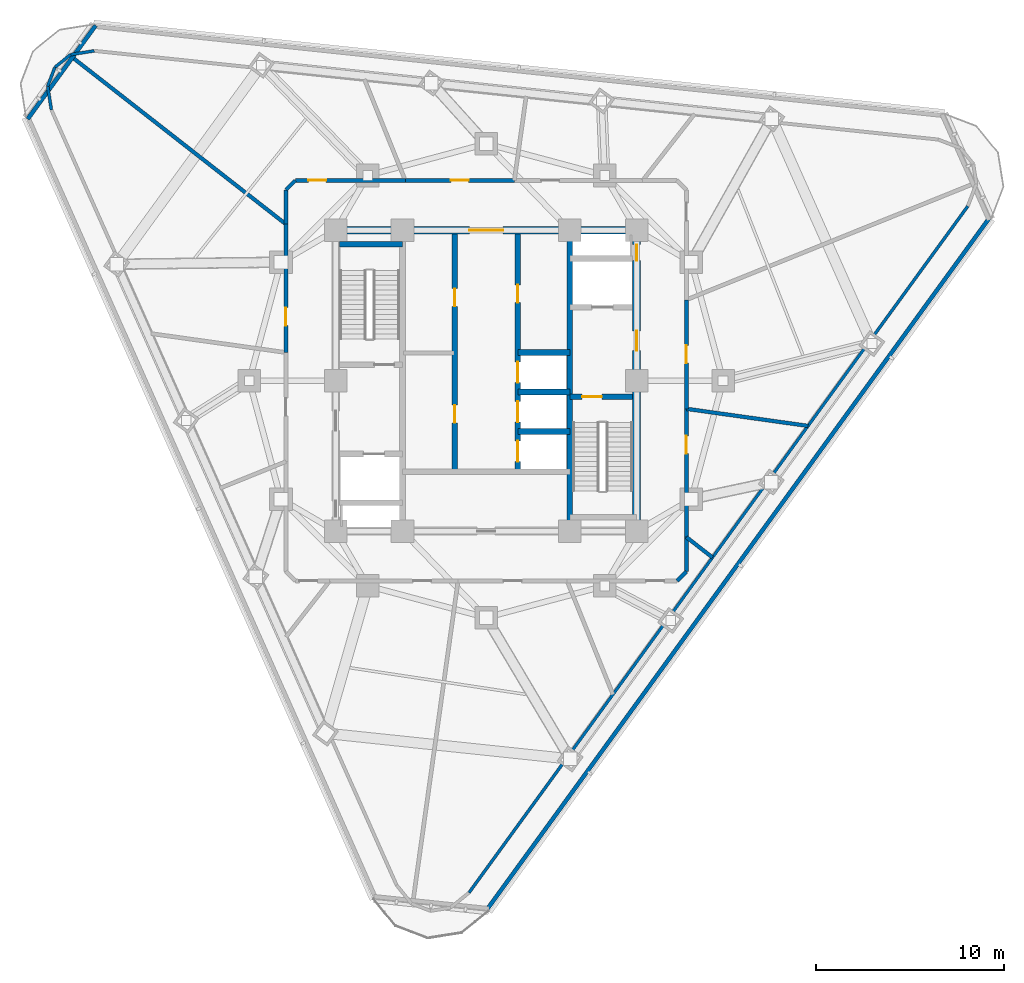
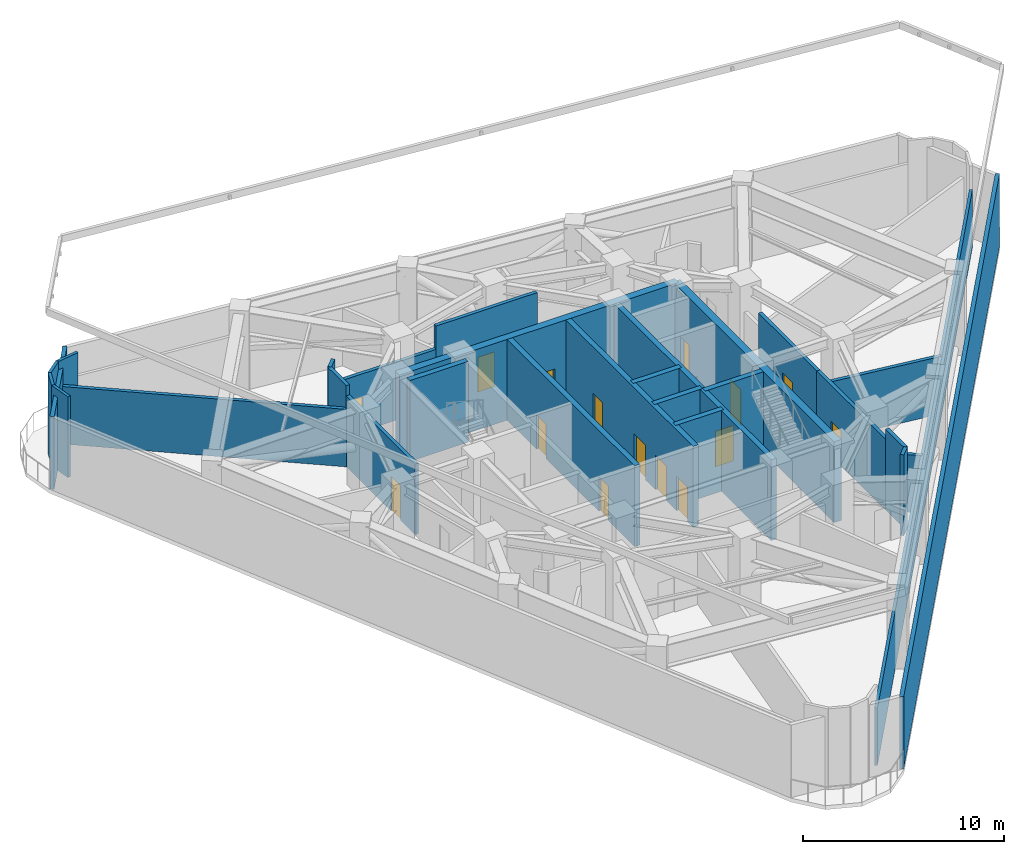
# One storey, part 4 of 10: 29 walls, 15 doors, 15 openings.
"""IFC4 building model written with IfcOpenShell, lengths in metres."""

from ifc_helpers import new_model, si_unit, direction, frame, frame_2d, origin, place, context, subcontext, project, spatial, rectangle, extrude, material, layer, layer_set, type_object, element, fill, save


model = new_model("IFC4")

# Units and contexts
model_context = context("Model", 3, precision=1e-05, world=origin(), true_north=direction((0.0, 1.0)))
body_context = subcontext(model_context, "Body", "Model", "MODEL_VIEW")
ifc_project = project(units=[si_unit("LENGTHUNIT", "METRE"), si_unit("AREAUNIT", "SQUARE_METRE"), si_unit("VOLUMEUNIT", "CUBIC_METRE"), si_unit("PLANEANGLEUNIT", "RADIAN"), si_unit("MASSUNIT", "GRAM", prefix="KILO")], contexts=[model_context])

# Site, building, storey
site_placement = place(None, origin())
site = spatial("IfcSite", under=ifc_project, at=site_placement, CompositionType="ELEMENT")
building_placement = place(site_placement, origin())
building = spatial("IfcBuilding", under=site, at=building_placement, Name="Terralouvre Media Tower", CompositionType="ELEMENT")
storey_placement = place(building_placement, frame((0.0, 0.0, 213.800048828125)))
storey = spatial("IfcBuildingStorey", under=building, at=storey_placement, Name="L55", CompositionType="ELEMENT", Elevation=213.800048828125)

# Walls
ifc_material_1 = material(Name="Concrete C50/60", Category="concrete")
ifc_layer_1 = layer(ifc_material_1, 0.300048828125, Name="Core Internal Shaft Wall CW-300")
ifc_layer_set_1 = layer_set([ifc_layer_1], Name="Concrete C50/60")
wall_type_1 = type_object("IfcWallType", Name="Core Internal Shaft Wall CW-300", PredefinedType="SHEAR", material=ifc_layer_set_1)
wall_1_placement = place(storey_placement, frame((4.449951171875, -7.7900390625, 0.0), z_axis=(0.0, 0.0, 1.0), x_axis=(0.0, 1.0, 0.0)))
element("IfcWall", 1, at=wall_1_placement, inside=storey, type_object=wall_type_1, Name="L55 Core Shaft Wall SPE", PredefinedType="SHEAR", context=body_context, shape_type="SweptSolid", body=[
    extrude(rectangle(XDim=15.580078125, YDim=0.300048828125, at=frame_2d((7.7900390625, 0.0))), origin(), (0.0, 0.0, 1.0), 4.89990234375),
])
wall_2_placement = place(storey_placement, frame((-7.7900390625, 7.260009765625, 0.0), z_axis=(0.0, 0.0, 1.0), x_axis=(1.0, 0.0, 0.0)))
element("IfcWall", 2, at=wall_2_placement, inside=storey, type_object=wall_type_1, Name="L55 Core Shaft Wall ST1F", PredefinedType="SHEAR", context=body_context, shape_type="SweptSolid", body=[
    extrude(rectangle(XDim=3.340087890625, YDim=0.300048828125, at=frame_2d((1.669921875, 0.0))), origin(), (0.0, 0.0, 1.0), 4.89990234375),
])

# Wall, opening, door
wall_3_placement = place(storey_placement, frame((4.449951171875, -0.85009765625, 0.0), z_axis=(0.0, 0.0, 1.0), x_axis=(1.0, 0.0, 0.0)))
wall_3 = element("IfcWall", 3, at=wall_3_placement, inside=storey, type_object=wall_type_1, Name="L55 Core Shaft Wall ST2D", PredefinedType="SHEAR", context=body_context, shape_type="SweptSolid", body=[
    extrude(rectangle(XDim=3.340087890625, YDim=0.300048828125, at=frame_2d((1.669921875, 0.0))), origin(), (0.0, 0.0, 1.0), 4.89990234375),
])
opening_1_placement = place(wall_3_placement, frame((0.64990234375, 0.0, 0.0)))
opening_1 = element("IfcOpeningElement", 4, at=opening_1_placement, cuts=wall_3, Name="Opening FD-01-105X215", PredefinedType="OPENING", context=body_context, shape_type="SweptSolid", body=[
    extrude(rectangle(XDim=1.050048828125, YDim=2.14990234375, at=frame_2d((0.52490234375, 1.074951171875))), frame((0.0, 0.159912109375, 0.0), z_axis=(0.0, -1.0, 0.0), x_axis=(1.0, 0.0, 0.0)), (0.0, 0.0, 1.0), 0.320068359375),
])
ifc_material_2 = material(Name="Galvanised steel fire-resisting leaf", Category="steel")
door_type_1 = type_object("IfcDoorType", Name="Stair and Firefighting Lobby Fire Door FD-01 (1050x2150)", OperationType="NOTDEFINED", PredefinedType="DOOR", material=ifc_material_2)
door_1_placement = place(opening_1_placement, origin())
door_1 = element("IfcDoor", 5, at=door_1_placement, inside=storey, type_object=door_type_1, Name="L55 ST-02 Exit Stair Door", OperationType="SINGLE_SWING_RIGHT", OverallHeight=2.14990234375, OverallWidth=1.050048828125, PredefinedType="DOOR", context=body_context, shape_type="SweptSolid", body=[
    extrude(rectangle(XDim=1.050048828125, YDim=2.14990234375, at=frame_2d((0.52490234375, 1.074951171875))), frame((0.0, 0.02490234375, 0.0), z_axis=(0.0, -1.0, 0.0), x_axis=(1.0, 0.0, 0.0)), (0.0, 0.0, 1.0), 0.050048828125),
])
fill(opening_1, door_1)

# Wall, openings, doors
wall_4_placement = place(storey_placement, frame((-1.679931640625, -4.85009765625, 0.0), z_axis=(0.0, 0.0, 1.0), x_axis=(0.0, 1.0, 0.0)))
wall_4 = element("IfcWall", 6, at=wall_4_placement, inside=storey, type_object=wall_type_1, Name="L55 Core Shaft Wall LBW", PredefinedType="SHEAR", context=body_context, shape_type="SweptSolid", body=[
    extrude(rectangle(XDim=12.64013671875, YDim=0.300048828125, at=frame_2d((6.320068359375, 0.0))), origin(), (0.0, 0.0, 1.0), 4.89990234375),
])
opening_2_placement = place(wall_4_placement, frame((2.60009765625, 0.0, 0.0)))
opening_2 = element("IfcOpeningElement", 7, at=opening_2_placement, cuts=wall_4, Name="Opening FD-02-95X210", PredefinedType="OPENING", context=body_context, shape_type="SweptSolid", body=[
    extrude(rectangle(XDim=0.949951171875, YDim=2.10009765625, at=frame_2d((0.47509765625, 1.050048828125))), frame((0.0, 0.159912109375, 0.0), z_axis=(0.0, -1.0, 0.0), x_axis=(1.0, 0.0, 0.0)), (0.0, 0.0, 1.0), 0.320068359375),
])
opening_3_placement = place(wall_4_placement, frame((8.800048828125, 0.0, 0.0)))
opening_3 = element("IfcOpeningElement", 8, at=opening_3_placement, cuts=wall_4, Name="Opening FD-04-95X210", PredefinedType="OPENING", context=body_context, shape_type="SweptSolid", body=[
    extrude(rectangle(XDim=0.949951171875, YDim=2.10009765625, at=frame_2d((0.47509765625, 1.050048828125))), frame((0.0, 0.159912109375, 0.0), z_axis=(0.0, -1.0, 0.0), x_axis=(1.0, 0.0, 0.0)), (0.0, 0.0, 1.0), 0.320068359375),
])
ifc_material_3 = material(Name="Galvanised steel fire-resisting leaf", Category="steel")
door_type_2 = type_object("IfcDoorType", Name="Core Store and Service Fire Door FD-04 (950x2100)", OperationType="NOTDEFINED", PredefinedType="DOOR", material=ifc_material_3)
door_2_placement = place(opening_3_placement, origin())
door_2 = element("IfcDoor", 9, at=door_2_placement, inside=storey, type_object=door_type_2, Name="L55 Core Linen Store Door", OperationType="SINGLE_SWING_RIGHT", OverallHeight=2.10009765625, OverallWidth=0.949951171875, PredefinedType="DOOR", context=body_context, shape_type="SweptSolid", body=[
    extrude(rectangle(XDim=0.949951171875, YDim=2.10009765625, at=frame_2d((0.47509765625, 1.050048828125))), frame((0.0, 0.02490234375, 0.0), z_axis=(0.0, -1.0, 0.0), x_axis=(1.0, 0.0, 0.0)), (0.0, 0.0, 1.0), 0.050048828125),
])
fill(opening_3, door_2)
ifc_material_4 = material(Name="Galvanised steel fire-resisting leaf", Category="steel")
door_type_3 = type_object("IfcDoorType", Name="Plant and Riser Fire Door FD-02 (950x2100)", OperationType="NOTDEFINED", PredefinedType="DOOR", material=ifc_material_4)
door_3_placement = place(opening_2_placement, origin())
door_3 = element("IfcDoor", 10, at=door_3_placement, inside=storey, type_object=door_type_3, Name="L55 Core Fibre Patch Plant Door", OperationType="SINGLE_SWING_LEFT", OverallHeight=2.10009765625, OverallWidth=0.949951171875, PredefinedType="DOOR", context=body_context, shape_type="SweptSolid", body=[
    extrude(rectangle(XDim=0.949951171875, YDim=2.10009765625, at=frame_2d((0.47509765625, 1.050048828125))), frame((0.0, 0.02490234375, 0.0), z_axis=(0.0, -1.0, 0.0), x_axis=(1.0, 0.0, 0.0)), (0.0, 0.0, 1.0), 0.050048828125),
])
fill(opening_2, door_3)

wall_5_placement = place(storey_placement, frame((1.679931640625, -4.85009765625, 0.0), z_axis=(0.0, 0.0, 1.0), x_axis=(0.0, 1.0, 0.0)))
wall_5 = element("IfcWall", 11, at=wall_5_placement, inside=storey, type_object=wall_type_1, Name="L55 Core Shaft Wall LBE", PredefinedType="SHEAR", context=body_context, shape_type="SweptSolid", body=[
    extrude(rectangle(XDim=12.64013671875, YDim=0.300048828125, at=frame_2d((6.320068359375, 0.0))), origin(), (0.0, 0.0, 1.0), 4.89990234375),
])
opening_4_placement = place(wall_5_placement, frame((0.550048828125, 0.0, 0.0)))
opening_4 = element("IfcOpeningElement", 12, at=opening_4_placement, cuts=wall_5, Name="Opening LD-PL", PredefinedType="OPENING", context=body_context, shape_type="SweptSolid", body=[
    extrude(rectangle(XDim=1.10009765625, YDim=2.10009765625, at=frame_2d((0.550048828125, 1.050048828125))), frame((0.0, 0.159912109375, 0.0), z_axis=(0.0, -1.0, 0.0), x_axis=(1.0, 0.0, 0.0)), (0.0, 0.0, 1.0), 0.320068359375),
])
opening_5_placement = place(wall_5_placement, frame((2.64990234375, 0.0, 0.0)))
opening_5 = element("IfcOpeningElement", 13, at=opening_5_placement, cuts=wall_5, Name="Opening LD-PL", PredefinedType="OPENING", context=body_context, shape_type="SweptSolid", body=[
    extrude(rectangle(XDim=1.10009765625, YDim=2.10009765625, at=frame_2d((0.550048828125, 1.050048828125))), frame((0.0, 0.159912109375, 0.0), z_axis=(0.0, -1.0, 0.0), x_axis=(1.0, 0.0, 0.0)), (0.0, 0.0, 1.0), 0.320068359375),
])
opening_6_placement = place(wall_5_placement, frame((4.75, 0.0, 0.0)))
opening_6 = element("IfcOpeningElement", 14, at=opening_6_placement, cuts=wall_5, Name="Opening LD-PL", PredefinedType="OPENING", context=body_context, shape_type="SweptSolid", body=[
    extrude(rectangle(XDim=1.10009765625, YDim=2.10009765625, at=frame_2d((0.550048828125, 1.050048828125))), frame((0.0, 0.159912109375, 0.0), z_axis=(0.0, -1.0, 0.0), x_axis=(1.0, 0.0, 0.0)), (0.0, 0.0, 1.0), 0.320068359375),
])
opening_7_placement = place(wall_5_placement, frame((9.0, 0.0, 0.0)))
opening_7 = element("IfcOpeningElement", 15, at=opening_7_placement, cuts=wall_5, Name="Opening FD-02-95X210", PredefinedType="OPENING", context=body_context, shape_type="SweptSolid", body=[
    extrude(rectangle(XDim=0.949951171875, YDim=2.10009765625, at=frame_2d((0.47509765625, 1.050048828125))), frame((0.0, 0.159912109375, 0.0), z_axis=(0.0, -1.0, 0.0), x_axis=(1.0, 0.0, 0.0)), (0.0, 0.0, 1.0), 0.320068359375),
])
ifc_material_5 = material(Name="Stainless steel 316 handrail and balustrade", Category="steel")
door_type_4 = type_object("IfcDoorType", Name="Passenger Lift Sliding Landing Door LD-PL", OperationType="SLIDING_TO_LEFT", PredefinedType="DOOR", material=ifc_material_5)
door_4_placement = place(opening_4_placement, origin())
door_4 = element("IfcDoor", 16, at=door_4_placement, inside=storey, type_object=door_type_4, Name="L55 High-Rise Lift PL-H1 Landing Door", OperationType="SLIDING_TO_LEFT", OverallHeight=2.10009765625, OverallWidth=1.10009765625, PredefinedType="DOOR", context=body_context, shape_type="SweptSolid", body=[
    extrude(rectangle(XDim=1.10009765625, YDim=2.10009765625, at=frame_2d((0.550048828125, 1.050048828125))), frame((0.0, 0.02490234375, 0.0), z_axis=(0.0, -1.0, 0.0), x_axis=(1.0, 0.0, 0.0)), (0.0, 0.0, 1.0), 0.050048828125),
])
fill(opening_4, door_4)
door_5_placement = place(opening_5_placement, origin())
door_5 = element("IfcDoor", 17, at=door_5_placement, inside=storey, type_object=door_type_4, Name="L55 High-Rise Lift PL-H2 Landing Door", OperationType="SLIDING_TO_LEFT", OverallHeight=2.10009765625, OverallWidth=1.10009765625, PredefinedType="DOOR", context=body_context, shape_type="SweptSolid", body=[
    extrude(rectangle(XDim=1.10009765625, YDim=2.10009765625, at=frame_2d((0.550048828125, 1.050048828125))), frame((0.0, 0.02490234375, 0.0), z_axis=(0.0, -1.0, 0.0), x_axis=(1.0, 0.0, 0.0)), (0.0, 0.0, 1.0), 0.050048828125),
])
fill(opening_5, door_5)
door_6_placement = place(opening_6_placement, origin())
door_6 = element("IfcDoor", 18, at=door_6_placement, inside=storey, type_object=door_type_4, Name="L55 High-Rise Lift PL-H3 Landing Door", OperationType="SLIDING_TO_LEFT", OverallHeight=2.10009765625, OverallWidth=1.10009765625, PredefinedType="DOOR", context=body_context, shape_type="SweptSolid", body=[
    extrude(rectangle(XDim=1.10009765625, YDim=2.10009765625, at=frame_2d((0.550048828125, 1.050048828125))), frame((0.0, 0.02490234375, 0.0), z_axis=(0.0, -1.0, 0.0), x_axis=(1.0, 0.0, 0.0)), (0.0, 0.0, 1.0), 0.050048828125),
])
fill(opening_6, door_6)
door_7_placement = place(opening_7_placement, origin())
door_7 = element("IfcDoor", 19, at=door_7_placement, inside=storey, type_object=door_type_3, Name="L55 Mid-Zone Hoistway Motor Plant Door", OperationType="SINGLE_SWING_LEFT", OverallHeight=2.10009765625, OverallWidth=0.949951171875, PredefinedType="DOOR", context=body_context, shape_type="SweptSolid", body=[
    extrude(rectangle(XDim=0.949951171875, YDim=2.10009765625, at=frame_2d((0.47509765625, 1.050048828125))), frame((0.0, 0.02490234375, 0.0), z_axis=(0.0, -1.0, 0.0), x_axis=(1.0, 0.0, 0.0)), (0.0, 0.0, 1.0), 0.050048828125),
])
fill(opening_7, door_7)

# Walls
for number, where, z_axis, x_axis, name in (
    (20, (1.679931640625, 1.5, 0.0), (0.0, 0.0, 1.0), (1.0, 0.0, 0.0), "L55 Core Shaft Wall PLMBOT"),
    (21, (1.679931640625, -2.699951171875, 0.0), (0.0, 0.0, 1.0), (1.0, 0.0, 0.0), "L55 Core Shaft Wall PLHD1"),
    (22, (1.679931640625, -0.60009765625, 0.0), (0.0, 0.0, 1.0), (1.0, 0.0, 0.0), "L55 Core Shaft Wall PLHD2"),
):
    element("IfcWall", number, at=place(storey_placement, frame(where, z_axis=z_axis, x_axis=x_axis)), inside=storey, type_object=wall_type_1, Name=name, PredefinedType="SHEAR", context=body_context, shape_type="SweptSolid", body=[
        extrude(rectangle(XDim=2.77001953125, YDim=0.300048828125, at=frame_2d((1.385009765625, 0.0))), origin(), (0.0, 0.0, 1.0), 4.89990234375),
    ])

# Wall, openings, doors
ifc_material_6 = material(Name="Concrete C60/75", Category="concrete")
ifc_layer_2 = layer(ifc_material_6, 0.419921875, Name="Core Reinforced Concrete Shear Wall CW-420")
ifc_layer_set_2 = layer_set([ifc_layer_2], Name="Concrete C60/75")
wall_type_2 = type_object("IfcWallType", Name="Core Reinforced Concrete Shear Wall CW-420", PredefinedType="SHEAR", material=ifc_layer_set_2)
wall_6_placement = place(storey_placement, frame((8.0, -8.0, 0.0), z_axis=(0.0, 0.0, 1.0), x_axis=(0.0, 1.0, 0.0)))
wall_6 = element("IfcWall", 23, at=wall_6_placement, inside=storey, type_object=wall_type_2, Name="L55 E Core Shear Wall", PredefinedType="SHEAR", context=body_context, shape_type="SweptSolid", body=[
    extrude(rectangle(XDim=16.0, YDim=0.419921875, at=frame_2d((8.0, 0.0))), origin(), (0.0, 0.0, 1.0), 4.89990234375),
])
opening_8_placement = place(wall_6_placement, frame((9.60009765625, 0.0, 0.0)))
opening_8 = element("IfcOpeningElement", 24, at=opening_8_placement, cuts=wall_6, Name="Opening FD-01-105X215", PredefinedType="OPENING", context=body_context, shape_type="SweptSolid", body=[
    extrude(rectangle(XDim=1.050048828125, YDim=2.14990234375, at=frame_2d((0.52490234375, 1.074951171875))), frame((0.0, 0.219970703125, 0.0), z_axis=(0.0, -1.0, 0.0), x_axis=(1.0, 0.0, 0.0)), (0.0, 0.0, 1.0), 0.43994140625),
])
opening_9_placement = place(wall_6_placement, frame((14.388671875, 0.0, 0.0)))
opening_9 = element("IfcOpeningElement", 25, at=opening_9_placement, cuts=wall_6, Name="Opening TD-R1", PredefinedType="OPENING", context=body_context, shape_type="SweptSolid", body=[
    extrude(rectangle(XDim=0.85009765625, YDim=2.02001953125, at=frame_2d((0.425048828125, 1.010009765625))), frame((0.0, 0.219970703125, 0.0), z_axis=(0.0, -1.0, 0.0), x_axis=(1.0, 0.0, 0.0)), (0.0, 0.0, 1.0), 0.43994140625),
])
ifc_material_7 = material(Name="Galvanised steel fire-resisting leaf", Category="steel")
door_type_5 = type_object("IfcDoorType", Name="Riser Inspection Access Trapdoor TD-R1", OperationType="NOTDEFINED", PredefinedType="TRAPDOOR", material=ifc_material_7)
door_8_placement = place(opening_9_placement, origin())
door_8 = element("IfcDoor", 26, at=door_8_placement, inside=storey, type_object=door_type_5, Name="L55 East Comms Riser Access Trapdoor", OperationType="SINGLE_SWING_RIGHT", OverallHeight=2.02001953125, OverallWidth=0.85009765625, PredefinedType="TRAPDOOR", context=body_context, shape_type="SweptSolid", body=[
    extrude(rectangle(XDim=0.85009765625, YDim=2.02001953125, at=frame_2d((0.425048828125, 1.010009765625))), frame((0.0, 0.02490234375, 0.0), z_axis=(0.0, -1.0, 0.0), x_axis=(1.0, 0.0, 0.0)), (0.0, 0.0, 1.0), 0.050048828125),
])
fill(opening_9, door_8)
door_9_placement = place(opening_8_placement, origin())
door_9 = element("IfcDoor", 27, at=door_9_placement, inside=storey, type_object=door_type_1, Name="L55 East Firefighting Lobby Entry Door", OperationType="SINGLE_SWING_LEFT", OverallHeight=2.14990234375, OverallWidth=1.050048828125, PredefinedType="DOOR", context=body_context, shape_type="SweptSolid", body=[
    extrude(rectangle(XDim=1.050048828125, YDim=2.14990234375, at=frame_2d((0.52490234375, 1.074951171875))), frame((0.0, 0.02490234375, 0.0), z_axis=(0.0, -1.0, 0.0), x_axis=(1.0, 0.0, 0.0)), (0.0, 0.0, 1.0), 0.050048828125),
])
fill(opening_8, door_9)

# Wall, opening, door
wall_7_placement = place(storey_placement, frame((-8.0, 8.0, 0.0), z_axis=(0.0, 0.0, 1.0), x_axis=(1.0, 0.0, 0.0)))
wall_7 = element("IfcWall", 28, at=wall_7_placement, inside=storey, type_object=wall_type_2, Name="L55 N Core Shear Wall", PredefinedType="SHEAR", context=body_context, shape_type="SweptSolid", body=[
    extrude(rectangle(XDim=16.0, YDim=0.419921875, at=frame_2d((8.0, 0.0))), origin(), (0.0, 0.0, 1.0), 4.89990234375),
])
opening_10_placement = place(wall_7_placement, frame((7.10009765625, 0.0, 0.0)))
opening_10 = element("IfcOpeningElement", 29, at=opening_10_placement, cuts=wall_7, Name="Opening FD-03", PredefinedType="OPENING", context=body_context, shape_type="SweptSolid", body=[
    extrude(rectangle(XDim=1.800048828125, YDim=2.14990234375, at=frame_2d((0.89990234375, 1.074951171875))), frame((0.0, 0.219970703125, 0.0), z_axis=(0.0, -1.0, 0.0), x_axis=(1.0, 0.0, 0.0)), (0.0, 0.0, 1.0), 0.43994140625),
])
ifc_material_8 = material(Name="Galvanised steel fire-resisting leaf", Category="steel")
door_type_6 = type_object("IfcDoorType", Name="Corridor Smoke-Control Double Door FD-03", OperationType="DOUBLE_DOOR_SINGLE_SWING", PredefinedType="DOOR", material=ifc_material_8)
door_10_placement = place(opening_10_placement, origin())
door_10 = element("IfcDoor", 30, at=door_10_placement, inside=storey, type_object=door_type_6, Name="L55 Central Lift Lobby Portal Door", OperationType="DOUBLE_DOOR_SINGLE_SWING", OverallHeight=2.14990234375, OverallWidth=1.800048828125, PredefinedType="DOOR", context=body_context, shape_type="SweptSolid", body=[
    extrude(rectangle(XDim=1.800048828125, YDim=2.14990234375, at=frame_2d((0.89990234375, 1.074951171875))), frame((0.0, 0.02490234375, 0.0), z_axis=(0.0, -1.0, 0.0), x_axis=(1.0, 0.0, 0.0)), (0.0, 0.0, 1.0), 0.050048828125),
])
fill(opening_10, door_10)

# Walls
ifc_material_9 = material(Name="Fire-rated gypsum board drywall partition")
ifc_layer_3 = layer(ifc_material_9, 0.199951171875, Name="Fire-Rated Shaft and Lobby Partition FW-200")
ifc_layer_set_3 = layer_set([ifc_layer_3], Name="Fire-rated gypsum board drywall partition")
wall_type_3 = type_object("IfcWallType", Name="Fire-Rated Shaft and Lobby Partition FW-200", PredefinedType="SOLIDWALL", material=ifc_layer_set_3)
wall_8_placement = place(storey_placement, frame((-23.122314453125, 14.403564453125, 0.0), z_axis=(0.0, 0.0, 1.0), x_axis=(-0.156446157186, 0.98768648867, 0.0)))
element("IfcWall", 31, at=wall_8_placement, inside=storey, type_object=wall_type_3, Name="L55 Belt-Truss Acoustic Plenum Liner Wall 02", PredefinedType="SOLIDWALL", context=body_context, shape_type="SweptSolid", body=[
    extrude(rectangle(XDim=1.270263671875, YDim=0.159912109375, at=frame_2d((0.63525390625, 0.0))), origin(), (0.0, 0.0, 1.0), 4.89990234375),
])
for number, where, z_axis, x_axis, name in (
    (32, (-23.321044921875, 15.658203125, 0.0), (0.0, 0.0, 1.0), (0.358492802366, 0.933532490411, 0.0), "L55 Belt-Truss Acoustic Plenum Liner Wall 03"),
    (33, (-22.93505859375, 16.663330078125, 0.0), (0.0, 0.0, 1.0), (0.777160366447, 0.629302601952, 0.0), "L55 Belt-Truss Acoustic Plenum Liner Wall 04"),
):
    element("IfcWall", number, at=place(storey_placement, frame(where, z_axis=z_axis, x_axis=x_axis)), inside=storey, type_object=wall_type_3, Name=name, PredefinedType="SOLIDWALL", context=body_context, shape_type="SweptSolid", body=[
        extrude(rectangle(XDim=1.07666015625, YDim=0.159912109375, at=frame_2d((0.538330078125, 0.0))), origin(), (0.0, 0.0, 1.0), 4.89990234375),
    ])
wall_9_placement = place(storey_placement, frame((-22.098388671875, 17.3408203125, 0.0), z_axis=(0.0, 0.0, 1.0), x_axis=(0.98768648867, 0.156446157186, 0.0)))
element("IfcWall", 34, at=wall_9_placement, inside=storey, type_object=wall_type_3, Name="L55 Belt-Truss Acoustic Plenum Liner Wall 05", PredefinedType="SOLIDWALL", context=body_context, shape_type="SweptSolid", body=[
    extrude(rectangle(XDim=1.270263671875, YDim=0.159912109375, at=frame_2d((0.63525390625, 0.0))), origin(), (0.0, 0.0, 1.0), 4.89990234375),
])
wall_10_placement = place(storey_placement, frame((25.611572265625, 9.281494140625, 0.0), z_axis=(0.0, 0.0, 1.0), x_axis=(-0.587784319349, -0.809017672197, 0.0)))
element("IfcWall", 35, at=wall_10_placement, inside=storey, type_object=wall_type_3, Name="L55 Belt-Truss Acoustic Plenum Liner Wall 11", PredefinedType="SOLIDWALL", context=body_context, shape_type="SweptSolid", body=[
    extrude(rectangle(XDim=45.126220703125, YDim=0.159912109375, at=frame_2d((22.56298828125, 0.0))), origin(), (0.0, 0.0, 1.0), 3.48486328125),
])
wall_11_placement = place(storey_placement, frame((10.14990234375, -10.64990234375, 0.0), z_axis=(0.0, 0.0, 1.0), x_axis=(0.707106781187, 0.707106781187, 0.0)))
element("IfcWall", 36, at=wall_11_placement, inside=storey, type_object=wall_type_3, Name="L55 Interior Partition 008", PredefinedType="SOLIDWALL", context=body_context, shape_type="SweptSolid", body=[
    extrude(rectangle(XDim=0.70703125, YDim=0.199951171875, at=frame_2d((0.353515625, 0.0))), origin(), (0.0, 0.0, 1.0), 4.89990234375),
])
wall_12_placement = place(storey_placement, frame((10.64990234375, -10.14990234375, 0.0), z_axis=(0.0, 0.0, 1.0), x_axis=(0.0, 1.0, 0.0)))
element("IfcWall", 37, at=wall_12_placement, inside=storey, type_object=wall_type_3, Name="L55 Interior Partition 009", PredefinedType="SOLIDWALL", context=body_context, shape_type="SweptSolid", body=[
    extrude(rectangle(XDim=1.828857421875, YDim=0.199951171875, at=frame_2d((0.91455078125, 0.0))), origin(), (0.0, 0.0, 1.0), 4.89990234375),
])

# Wall, opening, door
wall_13_placement = place(storey_placement, frame((10.64990234375, -8.321044921875, 0.0), z_axis=(0.0, 0.0, 1.0), x_axis=(0.0, 1.0, 0.0)))
wall_13 = element("IfcWall", 38, at=wall_13_placement, inside=storey, type_object=wall_type_3, Name="L55 Interior Partition 010", PredefinedType="SOLIDWALL", context=body_context, shape_type="SweptSolid", body=[
    extrude(rectangle(XDim=6.823974609375, YDim=0.199951171875, at=frame_2d((3.412109375, 0.0))), origin(), (0.0, 0.0, 1.0), 4.284912109375),
])
opening_11_placement = place(wall_13_placement, frame((4.438232421875, 0.0, 0.0)))
opening_11 = element("IfcOpeningElement", 39, at=opening_11_placement, cuts=wall_13, Name="Opening FD-02-95X210", PredefinedType="OPENING", context=body_context, shape_type="SweptSolid", body=[
    extrude(rectangle(XDim=0.949951171875, YDim=2.10009765625, at=frame_2d((0.47509765625, 1.050048828125))), frame((0.0, 0.10986328125, 0.0), z_axis=(0.0, -1.0, 0.0), x_axis=(1.0, 0.0, 0.0)), (0.0, 0.0, 1.0), 0.219970703125),
])
door_11_placement = place(opening_11_placement, origin())
door_11 = element("IfcDoor", 40, at=door_11_placement, inside=storey, type_object=door_type_3, Name="L55 Emergency Stair Pressurisation Fan Plant Room Door", OperationType="SINGLE_SWING_LEFT", OverallHeight=2.10009765625, OverallWidth=0.949951171875, PredefinedType="DOOR", context=body_context, shape_type="SweptSolid", body=[
    extrude(rectangle(XDim=0.949951171875, YDim=2.10009765625, at=frame_2d((0.47509765625, 1.050048828125))), frame((0.0, 0.02490234375, 0.0), z_axis=(0.0, -1.0, 0.0), x_axis=(1.0, 0.0, 0.0)), (0.0, 0.0, 1.0), 0.050048828125),
])
fill(opening_11, door_11)

wall_14_placement = place(storey_placement, frame((10.64990234375, -1.4970703125, 0.0), z_axis=(0.0, 0.0, 1.0), x_axis=(0.0, 1.0, 0.0)))
wall_14 = element("IfcWall", 41, at=wall_14_placement, inside=storey, type_object=wall_type_3, Name="L55 Interior Partition 011", PredefinedType="SOLIDWALL", context=body_context, shape_type="SweptSolid", body=[
    extrude(rectangle(XDim=5.800048828125, YDim=0.199951171875, at=frame_2d((2.89990234375, 0.0))), origin(), (0.0, 0.0, 1.0), 4.284912109375),
])
opening_12_placement = place(wall_14_placement, frame((2.425048828125, 0.0, 0.0)))
opening_12 = element("IfcOpeningElement", 42, at=opening_12_placement, cuts=wall_14, Name="Opening FD-02-95X210", PredefinedType="OPENING", context=body_context, shape_type="SweptSolid", body=[
    extrude(rectangle(XDim=0.949951171875, YDim=2.10009765625, at=frame_2d((0.47509765625, 1.050048828125))), frame((0.0, 0.10986328125, 0.0), z_axis=(0.0, -1.0, 0.0), x_axis=(1.0, 0.0, 0.0)), (0.0, 0.0, 1.0), 0.219970703125),
])
door_12_placement = place(opening_12_placement, origin())
door_12 = element("IfcDoor", 43, at=door_12_placement, inside=storey, type_object=door_type_3, Name="L55 Designated Pressurised Refuge Holding Area East Door", OperationType="SINGLE_SWING_RIGHT", OverallHeight=2.10009765625, OverallWidth=0.949951171875, PredefinedType="DOOR", context=body_context, shape_type="SweptSolid", body=[
    extrude(rectangle(XDim=0.949951171875, YDim=2.10009765625, at=frame_2d((0.47509765625, 1.050048828125))), frame((0.0, 0.02490234375, 0.0), z_axis=(0.0, -1.0, 0.0), x_axis=(1.0, 0.0, 0.0)), (0.0, 0.0, 1.0), 0.050048828125),
])
fill(opening_12, door_12)

wall_15_placement = place(storey_placement, frame((1.4970703125, 10.64990234375, 0.0), z_axis=(0.0, 0.0, 1.0), x_axis=(-1.0, 0.0, 0.0)))
wall_15 = element("IfcWall", 44, at=wall_15_placement, inside=storey, type_object=wall_type_3, Name="L55 Interior Partition 016", PredefinedType="SOLIDWALL", context=body_context, shape_type="SweptSolid", body=[
    extrude(rectangle(XDim=5.800048828125, YDim=0.199951171875, at=frame_2d((2.89990234375, 0.0))), origin(), (0.0, 0.0, 1.0), 4.89990234375),
])
opening_13_placement = place(wall_15_placement, frame((2.425048828125, 0.0, 0.0)))
opening_13 = element("IfcOpeningElement", 45, at=opening_13_placement, cuts=wall_15, Name="Opening FD-02-95X210", PredefinedType="OPENING", context=body_context, shape_type="SweptSolid", body=[
    extrude(rectangle(XDim=0.949951171875, YDim=2.10009765625, at=frame_2d((0.47509765625, 1.050048828125))), frame((0.0, 0.10986328125, 0.0), z_axis=(0.0, -1.0, 0.0), x_axis=(1.0, 0.0, 0.0)), (0.0, 0.0, 1.0), 0.219970703125),
])
door_13_placement = place(opening_13_placement, origin())
door_13 = element("IfcDoor", 46, at=door_13_placement, inside=storey, type_object=door_type_3, Name="L55 Condenser Water Booster Pump Plant Room Door", OperationType="SINGLE_SWING_LEFT", OverallHeight=2.10009765625, OverallWidth=0.949951171875, PredefinedType="DOOR", context=body_context, shape_type="SweptSolid", body=[
    extrude(rectangle(XDim=0.949951171875, YDim=2.10009765625, at=frame_2d((0.47509765625, 1.050048828125))), frame((0.0, 0.02490234375, 0.0), z_axis=(0.0, -1.0, 0.0), x_axis=(1.0, 0.0, 0.0)), (0.0, 0.0, 1.0), 0.050048828125),
])
fill(opening_13, door_13)

wall_16_placement = place(storey_placement, frame((-4.302978515625, 10.64990234375, 0.0), z_axis=(0.0, 0.0, 1.0), x_axis=(-1.0, 0.0, 0.0)))
wall_16 = element("IfcWall", 47, at=wall_16_placement, inside=storey, type_object=wall_type_3, Name="L55 Interior Partition 017", PredefinedType="SOLIDWALL", context=body_context, shape_type="SweptSolid", body=[
    extrude(rectangle(XDim=5.846923828125, YDim=0.199951171875, at=frame_2d((2.92333984375, 0.0))), origin(), (0.0, 0.0, 1.0), 3.48486328125),
])
opening_14_placement = place(wall_16_placement, frame((4.20263671875, 0.0, 0.0)))
opening_14 = element("IfcOpeningElement", 48, at=opening_14_placement, cuts=wall_16, Name="Opening FD-02-95X210", PredefinedType="OPENING", context=body_context, shape_type="SweptSolid", body=[
    extrude(rectangle(XDim=0.949951171875, YDim=2.10009765625, at=frame_2d((0.47509765625, 1.050048828125))), frame((0.0, 0.10986328125, 0.0), z_axis=(0.0, -1.0, 0.0), x_axis=(1.0, 0.0, 0.0)), (0.0, 0.0, 1.0), 0.219970703125),
])
door_14_placement = place(opening_14_placement, origin())
door_14 = element("IfcDoor", 49, at=door_14_placement, inside=storey, type_object=door_type_3, Name="L55 Belt-Truss Damper Hydraulic Plant Room Door", OperationType="SINGLE_SWING_RIGHT", OverallHeight=2.10009765625, OverallWidth=0.949951171875, PredefinedType="DOOR", context=body_context, shape_type="SweptSolid", body=[
    extrude(rectangle(XDim=0.949951171875, YDim=2.10009765625, at=frame_2d((0.47509765625, 1.050048828125))), frame((0.0, 0.02490234375, 0.0), z_axis=(0.0, -1.0, 0.0), x_axis=(1.0, 0.0, 0.0)), (0.0, 0.0, 1.0), 0.050048828125),
])
fill(opening_14, door_14)

# Walls
wall_17_placement = place(storey_placement, frame((-10.14990234375, 10.64990234375, 0.0), z_axis=(0.0, 0.0, 1.0), x_axis=(-0.707106781187, -0.707106781187, 0.0)))
element("IfcWall", 50, at=wall_17_placement, inside=storey, type_object=wall_type_3, Name="L55 Interior Partition 018", PredefinedType="SOLIDWALL", context=body_context, shape_type="SweptSolid", body=[
    extrude(rectangle(XDim=0.70703125, YDim=0.199951171875, at=frame_2d((0.353515625, 0.0))), origin(), (0.0, 0.0, 1.0), 4.89990234375),
])
wall_18_placement = place(storey_placement, frame((-10.64990234375, 10.14990234375, 0.0), z_axis=(0.0, 0.0, 1.0), x_axis=(0.0, -1.0, 0.0)))
element("IfcWall", 51, at=wall_18_placement, inside=storey, type_object=wall_type_3, Name="L55 Interior Partition 019", PredefinedType="SOLIDWALL", context=body_context, shape_type="SweptSolid", body=[
    extrude(rectangle(XDim=1.828857421875, YDim=0.199951171875, at=frame_2d((0.91455078125, 0.0))), origin(), (0.0, 0.0, 1.0), 4.89990234375),
])

# Wall, opening, door
wall_19_placement = place(storey_placement, frame((-10.64990234375, 8.321044921875, 0.0), z_axis=(0.0, 0.0, 1.0), x_axis=(0.0, -1.0, 0.0)))
wall_19 = element("IfcWall", 52, at=wall_19_placement, inside=storey, type_object=wall_type_3, Name="L55 Interior Partition 020", PredefinedType="SOLIDWALL", context=body_context, shape_type="SweptSolid", body=[
    extrude(rectangle(XDim=6.823974609375, YDim=0.199951171875, at=frame_2d((3.412109375, 0.0))), origin(), (0.0, 0.0, 1.0), 4.284912109375),
])
opening_15_placement = place(wall_19_placement, frame((4.438232421875, 0.0, 0.0)))
opening_15 = element("IfcOpeningElement", 53, at=opening_15_placement, cuts=wall_19, Name="Opening FD-02-95X210", PredefinedType="OPENING", context=body_context, shape_type="SweptSolid", body=[
    extrude(rectangle(XDim=0.949951171875, YDim=2.10009765625, at=frame_2d((0.47509765625, 1.050048828125))), frame((0.0, 0.10986328125, 0.0), z_axis=(0.0, -1.0, 0.0), x_axis=(1.0, 0.0, 0.0)), (0.0, 0.0, 1.0), 0.219970703125),
])
door_15_placement = place(opening_15_placement, origin())
door_15 = element("IfcDoor", 54, at=door_15_placement, inside=storey, type_object=door_type_3, Name="L55 Standby UPS Inverter Mechanical Plant Room Door", OperationType="SINGLE_SWING_LEFT", OverallHeight=2.10009765625, OverallWidth=0.949951171875, PredefinedType="DOOR", context=body_context, shape_type="SweptSolid", body=[
    extrude(rectangle(XDim=0.949951171875, YDim=2.10009765625, at=frame_2d((0.47509765625, 1.050048828125))), frame((0.0, 0.02490234375, 0.0), z_axis=(0.0, -1.0, 0.0), x_axis=(1.0, 0.0, 0.0)), (0.0, 0.0, 1.0), 0.050048828125),
])
fill(opening_15, door_15)

# Walls
wall_20_placement = place(storey_placement, frame((12.035888671875, -9.404052734375, 0.0), z_axis=(0.0, 0.0, 1.0), x_axis=(-0.78796755412, 0.615716764149, 0.0)))
element("IfcWall", 55, at=wall_20_placement, inside=storey, type_object=wall_type_3, Name="L55 Interior Partition 026", PredefinedType="SOLIDWALL", context=body_context, shape_type="SweptSolid", body=[
    extrude(rectangle(XDim=1.759033203125, YDim=0.199951171875, at=frame_2d((0.87939453125, 0.0))), origin(), (0.0, 0.0, 1.0), 3.48486328125),
])
wall_21_placement = place(storey_placement, frame((17.1201171875, -2.406005859375, 0.0), z_axis=(0.0, 0.0, 1.0), x_axis=(-0.990276374555, 0.139113989226, 0.0)))
element("IfcWall", 56, at=wall_21_placement, inside=storey, type_object=wall_type_3, Name="L55 Interior Partition 027", PredefinedType="SOLIDWALL", context=body_context, shape_type="SweptSolid", body=[
    extrude(rectangle(XDim=6.53369140625, YDim=0.199951171875, at=frame_2d((3.266845703125, 0.0))), origin(), (0.0, 0.0, 1.0), 3.48486328125),
])
wall_22_placement = place(storey_placement, frame((-22.146240234375, 17.30224609375, 0.0), z_axis=(0.0, 0.0, 1.0), x_axis=(0.788034775906, -0.615630726948, 0.0)))
element("IfcWall", 57, at=wall_22_placement, inside=storey, type_object=wall_type_3, Name="L55 Interior Partition 032", PredefinedType="SOLIDWALL", context=body_context, shape_type="SweptSolid", body=[
    extrude(rectangle(XDim=14.588623046875, YDim=0.199951171875, at=frame_2d((7.29443359375, 0.0))), origin(), (0.0, 0.0, 1.0), 3.48486328125),
])
ifc_material_10 = material(Name="Kiln-fired architectural terracotta rainscreen cladding", Category="masonry")
ifc_layer_4 = layer(ifc_material_10, 0.260009765625, Name="Recessed Sky-Garden Acoustic Wall EW-SG260")
ifc_layer_set_4 = layer_set([ifc_layer_4], Name="Kiln-fired architectural terracotta rainscreen cladding")
wall_type_4 = type_object("IfcWallType", Name="Recessed Sky-Garden Acoustic Wall EW-SG260", PredefinedType="SOLIDWALL", material=ifc_layer_set_4)
wall_23_placement = place(storey_placement, frame((0.029052734375, -28.1416015625, 0.0), z_axis=(0.0, 0.0, 1.0), x_axis=(0.587783673123, 0.809018141706, 0.0)))
element("IfcWall", 58, at=wall_23_placement, inside=storey, type_object=wall_type_4, Name="L55 Facade Curtain Wall F0 Acoustic Plant Plinth Wall", PredefinedType="SOLIDWALL", context=body_context, shape_type="SweptSolid", body=[
    extrude(rectangle(XDim=45.5, YDim=0.219970703125, at=frame_2d((22.75, 0.0))), origin(), (0.0, 0.0, 1.0), 4.39990234375),
])
wall_24_placement = place(storey_placement, frame((-20.76806640625, 18.88916015625, 0.0), z_axis=(0.0, 0.0, 1.0), x_axis=(-0.587784458376, -0.809017571188, 0.0)))
element("IfcWall", 59, at=wall_24_placement, inside=storey, type_object=wall_type_4, Name="L55 Rounded Wind-Corner Curtain Wall C2 Acoustic Plant Plinth Wall", PredefinedType="SOLIDWALL", context=body_context, shape_type="SweptSolid", body=[
    extrude(rectangle(XDim=6.14892578125, YDim=0.219970703125, at=frame_2d((3.074462890625, 0.0))), origin(), (0.0, 0.0, 1.0), 4.39990234375),
])

save(model, "model.ifc")
